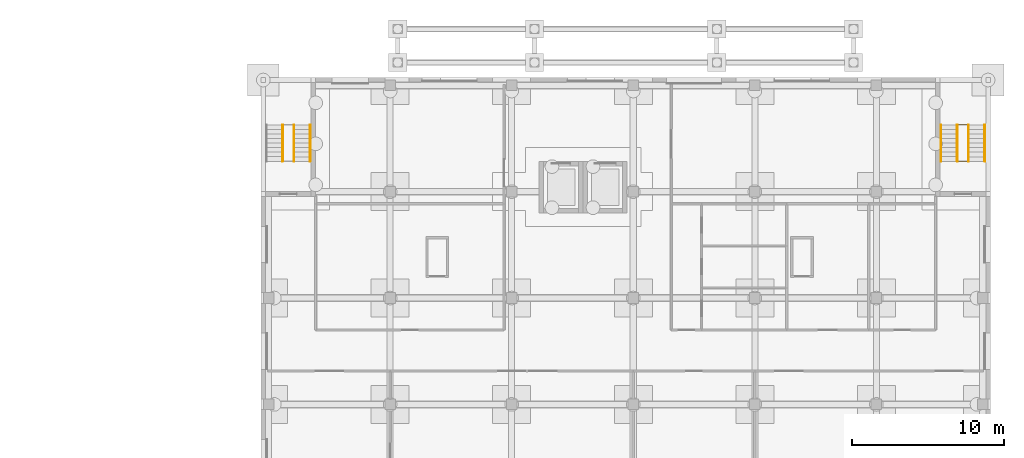
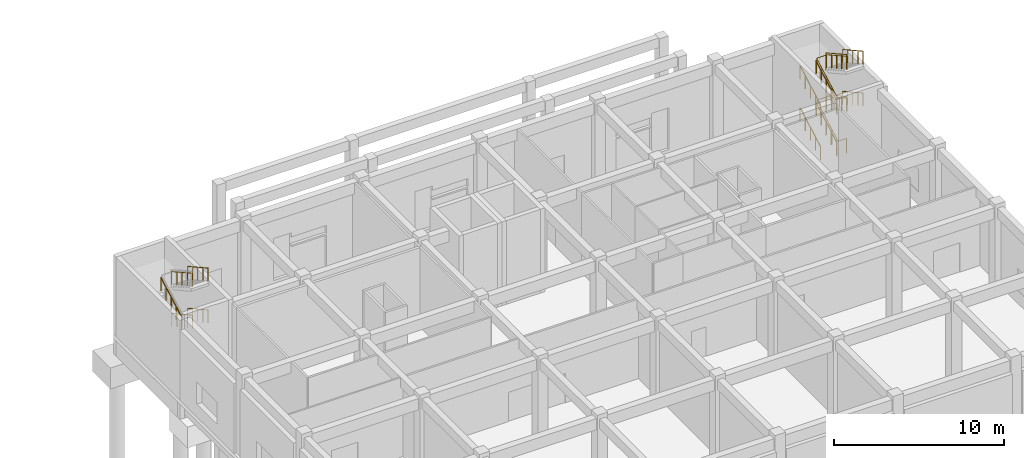
# One storey, part 50 of 51: 14 railings.
"""IFC4 building model written with IfcOpenShell, lengths in metres."""

from ifc_helpers import new_model, si_unit, direction, frame, origin, origin_2d, place, context, subcontext, project, spatial, circle, extrude, material, type_object, element, save


model = new_model("IFC4")

# Units and contexts
model_context = context("Model", 3, precision=1e-05, world=origin(), true_north=direction((0.0, 1.0)))
body_context = subcontext(model_context, "Body", "Model", "MODEL_VIEW")
ifc_project = project(units=[si_unit("LENGTHUNIT", "METRE"), si_unit("AREAUNIT", "SQUARE_METRE"), si_unit("VOLUMEUNIT", "CUBIC_METRE"), si_unit("PLANEANGLEUNIT", "RADIAN"), si_unit("MASSUNIT", "GRAM", prefix="KILO")], contexts=[model_context])

# Site, building, storey
site_placement = place(None, origin())
site = spatial("IfcSite", under=ifc_project, at=site_placement, CompositionType="ELEMENT")
building_placement = place(site_placement, origin())
building = spatial("IfcBuilding", under=site, at=building_placement, Name="Elmora Arch Market Hall", CompositionType="ELEMENT")
storey_placement = place(building_placement, origin())
storey = spatial("IfcBuildingStorey", under=building, at=storey_placement, Name="L00", CompositionType="ELEMENT", Elevation=0.0)

# Railings
ifc_material_1 = material(Name="Steel ASTM A500 Gr C", Category="steel")
railing_type_1 = type_object("IfcRailingType", Name="Stair guard 1100", PredefinedType="GUARDRAIL", material=ifc_material_1)
railing_1_placement = place(storey_placement, frame((132.52001953125, 160.5, 0.0)))
element("IfcRailing", 1, at=railing_1_placement, inside=storey, type_object=railing_type_1, Name="Stair ST-SCE guard L00", PredefinedType="GUARDRAIL", context=body_context, shape_type="SweptSolid", body=[
    extrude(circle(Radius=0.02392578125, at=origin_2d()), frame((0.0, 0.0, 1.076171875), z_axis=(-1.0, 0.0, 0.0), x_axis=(0.0, -1.0, 0.0)), (0.0, 0.0, 1.0), 0.64013671875),
    extrude(circle(Radius=0.02392578125, at=origin_2d()), frame((-0.64013671875, 0.0, 1.076171875), z_axis=(0.0, 0.0, 1.0), x_axis=(1.0, 0.0, 0.0)), (0.0, 0.0, 1.0), 0.166748046875),
    extrude(circle(Radius=0.02392578125, at=origin_2d()), frame((-0.64013671875, 0.0, 1.24267578125), z_axis=(0.0, 0.874241147926, 0.485491931212), x_axis=(-1.0, 0.0, 0.0)), (0.0, 0.0, 1.0), 0.6865234375),
    extrude(circle(Radius=0.02392578125, at=origin_2d()), frame((-0.64013671875, 0.60009765625, 1.576171875), z_axis=(0.0, 0.874157276122, 0.485642931179), x_axis=(-1.0, 0.0, 0.0)), (0.0, 0.0, 1.0), 0.686279296875),
    extrude(circle(Radius=0.02392578125, at=origin_2d()), frame((-0.64013671875, 1.199951171875, 1.9091796875), z_axis=(0.0, 0.874090171491, 0.485763699861), x_axis=(-1.0, 0.0, 0.0)), (0.0, 0.0, 1.0), 0.6865234375),
    extrude(circle(Radius=0.02392578125, at=origin_2d()), frame((-0.64013671875, 1.800048828125, 2.24267578125), z_axis=(0.0, 0.874157276122, 0.485642931179), x_axis=(-1.0, 0.0, 0.0)), (0.0, 0.0, 1.0), 0.686279296875),
    extrude(circle(Radius=0.02392578125, at=origin_2d()), frame((-0.64013671875, 2.39990234375, 2.576171875), z_axis=(1.0, 0.0, 0.0), x_axis=(0.0, 1.0, 0.0)), (0.0, 0.0, 1.0), 0.64013671875),
    extrude(circle(Radius=0.02392578125, at=origin_2d()), frame((0.0, 2.39990234375, 2.576171875), z_axis=(0.0, 0.0, 1.0), x_axis=(1.0, 0.0, 0.0)), (0.0, 0.0, 1.0), 0.166748046875),
    extrude(circle(Radius=0.02392578125, at=origin_2d()), frame((0.0, 2.39990234375, 2.74267578125), z_axis=(0.0, -0.874157276122, 0.485642931179), x_axis=(1.0, 0.0, 0.0)), (0.0, 0.0, 1.0), 0.686279296875),
    extrude(circle(Radius=0.02392578125, at=origin_2d()), frame((0.0, 1.800048828125, 3.076171875), z_axis=(0.0, -0.874241147926, 0.485491931212), x_axis=(1.0, 0.0, 0.0)), (0.0, 0.0, 1.0), 0.6865234375),
    extrude(circle(Radius=0.02392578125, at=origin_2d()), frame((0.0, 1.199951171875, 3.4091796875), z_axis=(0.0, -0.874006220275, 0.485914732151), x_axis=(1.0, 0.0, 0.0)), (0.0, 0.0, 1.0), 0.686279296875),
    extrude(circle(Radius=0.02392578125, at=origin_2d()), frame((0.0, 0.60009765625, 3.74267578125), z_axis=(0.0, -0.874241147926, 0.485491931212), x_axis=(1.0, 0.0, 0.0)), (0.0, 0.0, 1.0), 0.6865234375),
    extrude(circle(Radius=0.02392578125, at=origin_2d()), frame((0.0, 0.0, 4.076171875), z_axis=(-1.0, 0.0, 0.0), x_axis=(0.0, -1.0, 0.0)), (0.0, 0.0, 1.0), 0.64013671875),
    extrude(circle(Radius=0.02392578125, at=origin_2d()), frame((-0.64013671875, 0.0, 4.076171875), z_axis=(0.0, 0.0, 1.0), x_axis=(1.0, 0.0, 0.0)), (0.0, 0.0, 1.0), 0.166748046875),
    extrude(circle(Radius=0.02392578125, at=origin_2d()), frame((-0.64013671875, 0.0, 4.24267578125), z_axis=(0.0, 0.874241147926, 0.485491931212), x_axis=(-1.0, 0.0, 0.0)), (0.0, 0.0, 1.0), 0.6865234375),
    extrude(circle(Radius=0.02392578125, at=origin_2d()), frame((-0.64013671875, 0.60009765625, 4.576171875), z_axis=(0.0, 0.874157276122, 0.485642931179), x_axis=(-1.0, 0.0, 0.0)), (0.0, 0.0, 1.0), 0.686279296875),
    extrude(circle(Radius=0.02392578125, at=origin_2d()), frame((-0.64013671875, 1.199951171875, 4.9091796875), z_axis=(0.0, 0.874090171491, 0.485763699861), x_axis=(-1.0, 0.0, 0.0)), (0.0, 0.0, 1.0), 0.6865234375),
    extrude(circle(Radius=0.02392578125, at=origin_2d()), frame((-0.64013671875, 1.800048828125, 5.24267578125), z_axis=(0.0, 0.874157276122, 0.485642931179), x_axis=(-1.0, 0.0, 0.0)), (0.0, 0.0, 1.0), 0.686279296875),
    extrude(circle(Radius=0.02392578125, at=origin_2d()), frame((-0.64013671875, 2.39990234375, 5.576171875), z_axis=(1.0, 0.0, 0.0), x_axis=(0.0, 1.0, 0.0)), (0.0, 0.0, 1.0), 0.64013671875),
    extrude(circle(Radius=0.02392578125, at=origin_2d()), frame((0.0, 2.39990234375, 5.576171875), z_axis=(0.0, 0.0, 1.0), x_axis=(1.0, 0.0, 0.0)), (0.0, 0.0, 1.0), 0.166748046875),
    extrude(circle(Radius=0.02392578125, at=origin_2d()), frame((0.0, 2.39990234375, 5.74267578125), z_axis=(0.0, -0.874157276122, 0.485642931179), x_axis=(1.0, 0.0, 0.0)), (0.0, 0.0, 1.0), 0.686279296875),
    extrude(circle(Radius=0.02392578125, at=origin_2d()), frame((0.0, 1.800048828125, 6.076171875), z_axis=(0.0, -0.874241147926, 0.485491931212), x_axis=(1.0, 0.0, 0.0)), (0.0, 0.0, 1.0), 0.6865234375),
    extrude(circle(Radius=0.02392578125, at=origin_2d()), frame((0.0, 1.199951171875, 6.4091796875), z_axis=(0.0, -0.874006220275, 0.485914732151), x_axis=(1.0, 0.0, 0.0)), (0.0, 0.0, 1.0), 0.686279296875),
    extrude(circle(Radius=0.02392578125, at=origin_2d()), frame((0.0, 0.60009765625, 6.74267578125), z_axis=(0.0, -0.874241147926, 0.485491931212), x_axis=(1.0, 0.0, 0.0)), (0.0, 0.0, 1.0), 0.6865234375),
    extrude(circle(Radius=0.02099609375, at=origin_2d()), origin(), (0.0, 0.0, 1.0), 1.052001953125),
    extrude(circle(Radius=0.02099609375, at=origin_2d()), frame((-0.64013671875, 0.0, 0.0)), (0.0, 0.0, 1.0), 1.052001953125),
    extrude(circle(Radius=0.02099609375, at=origin_2d()), frame((-0.64013671875, 0.0, 0.166748046875)), (0.0, 0.0, 1.0), 1.052001953125),
    extrude(circle(Radius=0.02099609375, at=origin_2d()), frame((-0.64013671875, 0.60009765625, 0.5)), (0.0, 0.0, 1.0), 1.052001953125),
    extrude(circle(Radius=0.02099609375, at=origin_2d()), frame((-0.64013671875, 1.199951171875, 0.833251953125)), (0.0, 0.0, 1.0), 1.052001953125),
    extrude(circle(Radius=0.02099609375, at=origin_2d()), frame((-0.64013671875, 1.800048828125, 1.166748046875)), (0.0, 0.0, 1.0), 1.052001953125),
    extrude(circle(Radius=0.02099609375, at=origin_2d()), frame((-0.64013671875, 2.39990234375, 1.5)), (0.0, 0.0, 1.0), 1.052001953125),
    extrude(circle(Radius=0.02099609375, at=origin_2d()), frame((0.0, 2.39990234375, 1.5)), (0.0, 0.0, 1.0), 1.052001953125),
    extrude(circle(Radius=0.02099609375, at=origin_2d()), frame((0.0, 2.39990234375, 1.666748046875)), (0.0, 0.0, 1.0), 1.052001953125),
    extrude(circle(Radius=0.02099609375, at=origin_2d()), frame((0.0, 1.800048828125, 2.0)), (0.0, 0.0, 1.0), 1.052001953125),
    extrude(circle(Radius=0.02099609375, at=origin_2d()), frame((0.0, 1.199951171875, 2.333251953125)), (0.0, 0.0, 1.0), 1.052001953125),
    extrude(circle(Radius=0.02099609375, at=origin_2d()), frame((0.0, 0.60009765625, 2.666748046875)), (0.0, 0.0, 1.0), 1.052001953125),
    extrude(circle(Radius=0.02099609375, at=origin_2d()), frame((0.0, 0.0, 3.0)), (0.0, 0.0, 1.0), 1.052001953125),
    extrude(circle(Radius=0.02099609375, at=origin_2d()), frame((-0.64013671875, 0.0, 3.0)), (0.0, 0.0, 1.0), 1.052001953125),
    extrude(circle(Radius=0.02099609375, at=origin_2d()), frame((-0.64013671875, 0.0, 3.166748046875)), (0.0, 0.0, 1.0), 1.052001953125),
    extrude(circle(Radius=0.02099609375, at=origin_2d()), frame((-0.64013671875, 0.60009765625, 3.5)), (0.0, 0.0, 1.0), 1.052001953125),
    extrude(circle(Radius=0.02099609375, at=origin_2d()), frame((-0.64013671875, 1.199951171875, 3.833251953125)), (0.0, 0.0, 1.0), 1.052001953125),
    extrude(circle(Radius=0.02099609375, at=origin_2d()), frame((-0.64013671875, 1.800048828125, 4.166748046875)), (0.0, 0.0, 1.0), 1.052001953125),
    extrude(circle(Radius=0.02099609375, at=origin_2d()), frame((-0.64013671875, 2.39990234375, 4.5)), (0.0, 0.0, 1.0), 1.052001953125),
    extrude(circle(Radius=0.02099609375, at=origin_2d()), frame((0.0, 2.39990234375, 4.5)), (0.0, 0.0, 1.0), 1.052001953125),
    extrude(circle(Radius=0.02099609375, at=origin_2d()), frame((0.0, 2.39990234375, 4.666748046875)), (0.0, 0.0, 1.0), 1.052001953125),
    extrude(circle(Radius=0.02099609375, at=origin_2d()), frame((0.0, 1.800048828125, 5.0)), (0.0, 0.0, 1.0), 1.052001953125),
    extrude(circle(Radius=0.02099609375, at=origin_2d()), frame((0.0, 1.199951171875, 5.333251953125)), (0.0, 0.0, 1.0), 1.052001953125),
    extrude(circle(Radius=0.02099609375, at=origin_2d()), frame((0.0, 0.60009765625, 5.666748046875)), (0.0, 0.0, 1.0), 1.052001953125),
    extrude(circle(Radius=0.02099609375, at=origin_2d()), frame((0.0, 0.0, 6.0)), (0.0, 0.0, 1.0), 1.052001953125),
])
ifc_material_2 = material(Name="Stainless steel ASTM A554 Grade 304", Category="steel")
railing_type_2 = type_object("IfcRailingType", Name="Stair handrail 950", PredefinedType="HANDRAIL", material=ifc_material_2)
for number, where, name in (
    (2, (89.239990234375, 162.89990234375, 1.666748046875), "Stair ST-SCW L00 flight 2 handrail"),
    (3, (88.169921875, 162.89990234375, 1.666748046875), "Stair ST-SCW L00 flight 2 handrail"),
):
    element("IfcRailing", number, at=place(storey_placement, frame(where)), inside=storey, type_object=railing_type_2, Name=name, PredefinedType="HANDRAIL", context=body_context, shape_type="SweptSolid", body=[
        extrude(circle(Radius=0.02392578125, at=origin_2d()), frame((0.0, 0.0, 0.92578125), z_axis=(0.0, -0.874157276122, 0.485642931179), x_axis=(1.0, 0.0, 0.0)), (0.0, 0.0, 1.0), 0.686279296875),
        extrude(circle(Radius=0.02392578125, at=origin_2d()), frame((0.0, -0.599853515625, 1.25927734375), z_axis=(0.0, -0.874241147926, 0.485491931212), x_axis=(1.0, 0.0, 0.0)), (0.0, 0.0, 1.0), 0.6865234375),
        extrude(circle(Radius=0.02392578125, at=origin_2d()), frame((0.0, -1.199951171875, 1.59228515625), z_axis=(0.0, -0.874006220275, 0.485914732151), x_axis=(1.0, 0.0, 0.0)), (0.0, 0.0, 1.0), 0.686279296875),
        extrude(circle(Radius=0.02392578125, at=origin_2d()), frame((0.0, -1.7998046875, 1.92578125), z_axis=(0.0, -0.874241147926, 0.485491931212), x_axis=(1.0, 0.0, 0.0)), (0.0, 0.0, 1.0), 0.6865234375),
        extrude(circle(Radius=0.02099609375, at=origin_2d()), origin(), (0.0, 0.0, 1.0), 0.90185546875),
        extrude(circle(Radius=0.02099609375, at=origin_2d()), frame((0.0, -0.599853515625, 0.333251953125)), (0.0, 0.0, 1.0), 0.90185546875),
        extrude(circle(Radius=0.02099609375, at=origin_2d()), frame((0.0, -1.199951171875, 0.66650390625)), (0.0, 0.0, 1.0), 0.90185546875),
        extrude(circle(Radius=0.02099609375, at=origin_2d()), frame((0.0, -1.7998046875, 1.0)), (0.0, 0.0, 1.0), 0.90185546875),
        extrude(circle(Radius=0.02099609375, at=origin_2d()), frame((0.0, -2.39990234375, 1.333251953125)), (0.0, 0.0, 1.0), 0.90185546875),
    ])
railing_2_placement = place(storey_placement, frame((87.429931640625, 160.5, 3.166748046875)))
element("IfcRailing", 4, at=railing_2_placement, inside=storey, type_object=railing_type_2, Name="Stair ST-SCW L00 flight 3 handrail", PredefinedType="HANDRAIL", context=body_context, shape_type="SweptSolid", body=[
    extrude(circle(Radius=0.02392578125, at=origin_2d()), frame((0.0, 0.0, 0.92578125), z_axis=(0.0, 0.874241147926, 0.485491931212), x_axis=(-1.0, 0.0, 0.0)), (0.0, 0.0, 1.0), 0.6865234375),
    extrude(circle(Radius=0.02392578125, at=origin_2d()), frame((0.0, 0.60009765625, 1.25927734375), z_axis=(0.0, 0.874157276122, 0.485642931179), x_axis=(-1.0, 0.0, 0.0)), (0.0, 0.0, 1.0), 0.686279296875),
    extrude(circle(Radius=0.02392578125, at=origin_2d()), frame((0.0, 1.199951171875, 1.59228515625), z_axis=(0.0, 0.874090171491, 0.485763699861), x_axis=(-1.0, 0.0, 0.0)), (0.0, 0.0, 1.0), 0.6865234375),
    extrude(circle(Radius=0.02392578125, at=origin_2d()), frame((0.0, 1.800048828125, 1.92578125), z_axis=(0.0, 0.874157276122, 0.485642931179), x_axis=(-1.0, 0.0, 0.0)), (0.0, 0.0, 1.0), 0.686279296875),
    extrude(circle(Radius=0.02099609375, at=origin_2d()), origin(), (0.0, 0.0, 1.0), 0.90185546875),
    extrude(circle(Radius=0.02099609375, at=origin_2d()), frame((0.0, 0.60009765625, 0.333251953125)), (0.0, 0.0, 1.0), 0.90185546875),
    extrude(circle(Radius=0.02099609375, at=origin_2d()), frame((0.0, 1.199951171875, 0.66650390625)), (0.0, 0.0, 1.0), 0.90185546875),
    extrude(circle(Radius=0.02099609375, at=origin_2d()), frame((0.0, 1.800048828125, 1.0)), (0.0, 0.0, 1.0), 0.90185546875),
    extrude(circle(Radius=0.02099609375, at=origin_2d()), frame((0.0, 2.39990234375, 1.333251953125)), (0.0, 0.0, 1.0), 0.90185546875),
])
for number, where, name in (
    (5, (89.239990234375, 162.89990234375, 4.666748046875), "Stair ST-SCW L00 flight 4 handrail"),
    (6, (88.169921875, 162.89990234375, 4.666748046875), "Stair ST-SCW L00 flight 4 handrail"),
):
    element("IfcRailing", number, at=place(storey_placement, frame(where)), inside=storey, type_object=railing_type_2, Name=name, PredefinedType="HANDRAIL", context=body_context, shape_type="SweptSolid", body=[
        extrude(circle(Radius=0.02392578125, at=origin_2d()), frame((0.0, 0.0, 0.92578125), z_axis=(0.0, -0.874157276122, 0.485642931179), x_axis=(1.0, 0.0, 0.0)), (0.0, 0.0, 1.0), 0.686279296875),
        extrude(circle(Radius=0.02392578125, at=origin_2d()), frame((0.0, -0.599853515625, 1.25927734375), z_axis=(0.0, -0.874241147926, 0.485491931212), x_axis=(1.0, 0.0, 0.0)), (0.0, 0.0, 1.0), 0.6865234375),
        extrude(circle(Radius=0.02392578125, at=origin_2d()), frame((0.0, -1.199951171875, 1.59228515625), z_axis=(0.0, -0.874006220275, 0.485914732151), x_axis=(1.0, 0.0, 0.0)), (0.0, 0.0, 1.0), 0.686279296875),
        extrude(circle(Radius=0.02392578125, at=origin_2d()), frame((0.0, -1.7998046875, 1.92578125), z_axis=(0.0, -0.874241147926, 0.485491931212), x_axis=(1.0, 0.0, 0.0)), (0.0, 0.0, 1.0), 0.6865234375),
        extrude(circle(Radius=0.02099609375, at=origin_2d()), origin(), (0.0, 0.0, 1.0), 0.90185546875),
        extrude(circle(Radius=0.02099609375, at=origin_2d()), frame((0.0, -0.599853515625, 0.333251953125)), (0.0, 0.0, 1.0), 0.90185546875),
        extrude(circle(Radius=0.02099609375, at=origin_2d()), frame((0.0, -1.199951171875, 0.66650390625)), (0.0, 0.0, 1.0), 0.90185546875),
        extrude(circle(Radius=0.02099609375, at=origin_2d()), frame((0.0, -1.7998046875, 1.0)), (0.0, 0.0, 1.0), 0.90185546875),
        extrude(circle(Radius=0.02099609375, at=origin_2d()), frame((0.0, -2.39990234375, 1.333251953125)), (0.0, 0.0, 1.0), 0.90185546875),
    ])
for number, where, name in (
    (7, (130.760009765625, 160.5, 0.166748046875), "Stair ST-SCE L00 flight 1 handrail"),
    (8, (131.830078125, 160.5, 0.166748046875), "Stair ST-SCE L00 flight 1 handrail"),
):
    element("IfcRailing", number, at=place(storey_placement, frame(where)), inside=storey, type_object=railing_type_2, Name=name, PredefinedType="HANDRAIL", context=body_context, shape_type="SweptSolid", body=[
        extrude(circle(Radius=0.02392578125, at=origin_2d()), frame((0.0, 0.0, 0.92578125), z_axis=(0.0, 0.874241147926, 0.485491931212), x_axis=(-1.0, 0.0, 0.0)), (0.0, 0.0, 1.0), 0.6865234375),
        extrude(circle(Radius=0.02392578125, at=origin_2d()), frame((0.0, 0.60009765625, 1.25927734375), z_axis=(0.0, 0.874157276122, 0.485642931179), x_axis=(-1.0, 0.0, 0.0)), (0.0, 0.0, 1.0), 0.686279296875),
        extrude(circle(Radius=0.02392578125, at=origin_2d()), frame((0.0, 1.199951171875, 1.59228515625), z_axis=(0.0, 0.874090171491, 0.485763699861), x_axis=(-1.0, 0.0, 0.0)), (0.0, 0.0, 1.0), 0.6865234375),
        extrude(circle(Radius=0.02392578125, at=origin_2d()), frame((0.0, 1.800048828125, 1.92578125), z_axis=(0.0, 0.874157276122, 0.485642931179), x_axis=(-1.0, 0.0, 0.0)), (0.0, 0.0, 1.0), 0.686279296875),
        extrude(circle(Radius=0.02099609375, at=origin_2d()), origin(), (0.0, 0.0, 1.0), 0.90185546875),
        extrude(circle(Radius=0.02099609375, at=origin_2d()), frame((0.0, 0.60009765625, 0.333251953125)), (0.0, 0.0, 1.0), 0.90185546875),
        extrude(circle(Radius=0.02099609375, at=origin_2d()), frame((0.0, 1.199951171875, 0.66650390625)), (0.0, 0.0, 1.0), 0.90185546875),
        extrude(circle(Radius=0.02099609375, at=origin_2d()), frame((0.0, 1.800048828125, 1.0)), (0.0, 0.0, 1.0), 0.90185546875),
        extrude(circle(Radius=0.02099609375, at=origin_2d()), frame((0.0, 2.39990234375, 1.333251953125)), (0.0, 0.0, 1.0), 0.90185546875),
    ])
for number, where, name in (
    (9, (133.639892578125, 162.89990234375, 1.666748046875), "Stair ST-SCE L00 flight 2 handrail"),
    (10, (132.570068359375, 162.89990234375, 1.666748046875), "Stair ST-SCE L00 flight 2 handrail"),
):
    element("IfcRailing", number, at=place(storey_placement, frame(where)), inside=storey, type_object=railing_type_2, Name=name, PredefinedType="HANDRAIL", context=body_context, shape_type="SweptSolid", body=[
        extrude(circle(Radius=0.02392578125, at=origin_2d()), frame((0.0, 0.0, 0.92578125), z_axis=(0.0, -0.874157276122, 0.485642931179), x_axis=(1.0, 0.0, 0.0)), (0.0, 0.0, 1.0), 0.686279296875),
        extrude(circle(Radius=0.02392578125, at=origin_2d()), frame((0.0, -0.599853515625, 1.25927734375), z_axis=(0.0, -0.874241147926, 0.485491931212), x_axis=(1.0, 0.0, 0.0)), (0.0, 0.0, 1.0), 0.6865234375),
        extrude(circle(Radius=0.02392578125, at=origin_2d()), frame((0.0, -1.199951171875, 1.59228515625), z_axis=(0.0, -0.874006220275, 0.485914732151), x_axis=(1.0, 0.0, 0.0)), (0.0, 0.0, 1.0), 0.686279296875),
        extrude(circle(Radius=0.02392578125, at=origin_2d()), frame((0.0, -1.7998046875, 1.92578125), z_axis=(0.0, -0.874241147926, 0.485491931212), x_axis=(1.0, 0.0, 0.0)), (0.0, 0.0, 1.0), 0.6865234375),
        extrude(circle(Radius=0.02099609375, at=origin_2d()), origin(), (0.0, 0.0, 1.0), 0.90185546875),
        extrude(circle(Radius=0.02099609375, at=origin_2d()), frame((0.0, -0.599853515625, 0.333251953125)), (0.0, 0.0, 1.0), 0.90185546875),
        extrude(circle(Radius=0.02099609375, at=origin_2d()), frame((0.0, -1.199951171875, 0.66650390625)), (0.0, 0.0, 1.0), 0.90185546875),
        extrude(circle(Radius=0.02099609375, at=origin_2d()), frame((0.0, -1.7998046875, 1.0)), (0.0, 0.0, 1.0), 0.90185546875),
        extrude(circle(Radius=0.02099609375, at=origin_2d()), frame((0.0, -2.39990234375, 1.333251953125)), (0.0, 0.0, 1.0), 0.90185546875),
    ])
for number, where, name in (
    (11, (130.760009765625, 160.5, 3.166748046875), "Stair ST-SCE L00 flight 3 handrail"),
    (12, (131.830078125, 160.5, 3.166748046875), "Stair ST-SCE L00 flight 3 handrail"),
):
    element("IfcRailing", number, at=place(storey_placement, frame(where)), inside=storey, type_object=railing_type_2, Name=name, PredefinedType="HANDRAIL", context=body_context, shape_type="SweptSolid", body=[
        extrude(circle(Radius=0.02392578125, at=origin_2d()), frame((0.0, 0.0, 0.92578125), z_axis=(0.0, 0.874241147926, 0.485491931212), x_axis=(-1.0, 0.0, 0.0)), (0.0, 0.0, 1.0), 0.6865234375),
        extrude(circle(Radius=0.02392578125, at=origin_2d()), frame((0.0, 0.60009765625, 1.25927734375), z_axis=(0.0, 0.874157276122, 0.485642931179), x_axis=(-1.0, 0.0, 0.0)), (0.0, 0.0, 1.0), 0.686279296875),
        extrude(circle(Radius=0.02392578125, at=origin_2d()), frame((0.0, 1.199951171875, 1.59228515625), z_axis=(0.0, 0.874090171491, 0.485763699861), x_axis=(-1.0, 0.0, 0.0)), (0.0, 0.0, 1.0), 0.6865234375),
        extrude(circle(Radius=0.02392578125, at=origin_2d()), frame((0.0, 1.800048828125, 1.92578125), z_axis=(0.0, 0.874157276122, 0.485642931179), x_axis=(-1.0, 0.0, 0.0)), (0.0, 0.0, 1.0), 0.686279296875),
        extrude(circle(Radius=0.02099609375, at=origin_2d()), origin(), (0.0, 0.0, 1.0), 0.90185546875),
        extrude(circle(Radius=0.02099609375, at=origin_2d()), frame((0.0, 0.60009765625, 0.333251953125)), (0.0, 0.0, 1.0), 0.90185546875),
        extrude(circle(Radius=0.02099609375, at=origin_2d()), frame((0.0, 1.199951171875, 0.66650390625)), (0.0, 0.0, 1.0), 0.90185546875),
        extrude(circle(Radius=0.02099609375, at=origin_2d()), frame((0.0, 1.800048828125, 1.0)), (0.0, 0.0, 1.0), 0.90185546875),
        extrude(circle(Radius=0.02099609375, at=origin_2d()), frame((0.0, 2.39990234375, 1.333251953125)), (0.0, 0.0, 1.0), 0.90185546875),
    ])
for number, where, name in (
    (13, (133.639892578125, 162.89990234375, 4.666748046875), "Stair ST-SCE L00 flight 4 handrail"),
    (14, (132.570068359375, 162.89990234375, 4.666748046875), "Stair ST-SCE L00 flight 4 handrail"),
):
    element("IfcRailing", number, at=place(storey_placement, frame(where)), inside=storey, type_object=railing_type_2, Name=name, PredefinedType="HANDRAIL", context=body_context, shape_type="SweptSolid", body=[
        extrude(circle(Radius=0.02392578125, at=origin_2d()), frame((0.0, 0.0, 0.92578125), z_axis=(0.0, -0.874157276122, 0.485642931179), x_axis=(1.0, 0.0, 0.0)), (0.0, 0.0, 1.0), 0.686279296875),
        extrude(circle(Radius=0.02392578125, at=origin_2d()), frame((0.0, -0.599853515625, 1.25927734375), z_axis=(0.0, -0.874241147926, 0.485491931212), x_axis=(1.0, 0.0, 0.0)), (0.0, 0.0, 1.0), 0.6865234375),
        extrude(circle(Radius=0.02392578125, at=origin_2d()), frame((0.0, -1.199951171875, 1.59228515625), z_axis=(0.0, -0.874006220275, 0.485914732151), x_axis=(1.0, 0.0, 0.0)), (0.0, 0.0, 1.0), 0.686279296875),
        extrude(circle(Radius=0.02392578125, at=origin_2d()), frame((0.0, -1.7998046875, 1.92578125), z_axis=(0.0, -0.874241147926, 0.485491931212), x_axis=(1.0, 0.0, 0.0)), (0.0, 0.0, 1.0), 0.6865234375),
        extrude(circle(Radius=0.02099609375, at=origin_2d()), origin(), (0.0, 0.0, 1.0), 0.90185546875),
        extrude(circle(Radius=0.02099609375, at=origin_2d()), frame((0.0, -0.599853515625, 0.333251953125)), (0.0, 0.0, 1.0), 0.90185546875),
        extrude(circle(Radius=0.02099609375, at=origin_2d()), frame((0.0, -1.199951171875, 0.66650390625)), (0.0, 0.0, 1.0), 0.90185546875),
        extrude(circle(Radius=0.02099609375, at=origin_2d()), frame((0.0, -1.7998046875, 1.0)), (0.0, 0.0, 1.0), 0.90185546875),
        extrude(circle(Radius=0.02099609375, at=origin_2d()), frame((0.0, -2.39990234375, 1.333251953125)), (0.0, 0.0, 1.0), 0.90185546875),
    ])

save(model, "model.ifc")
